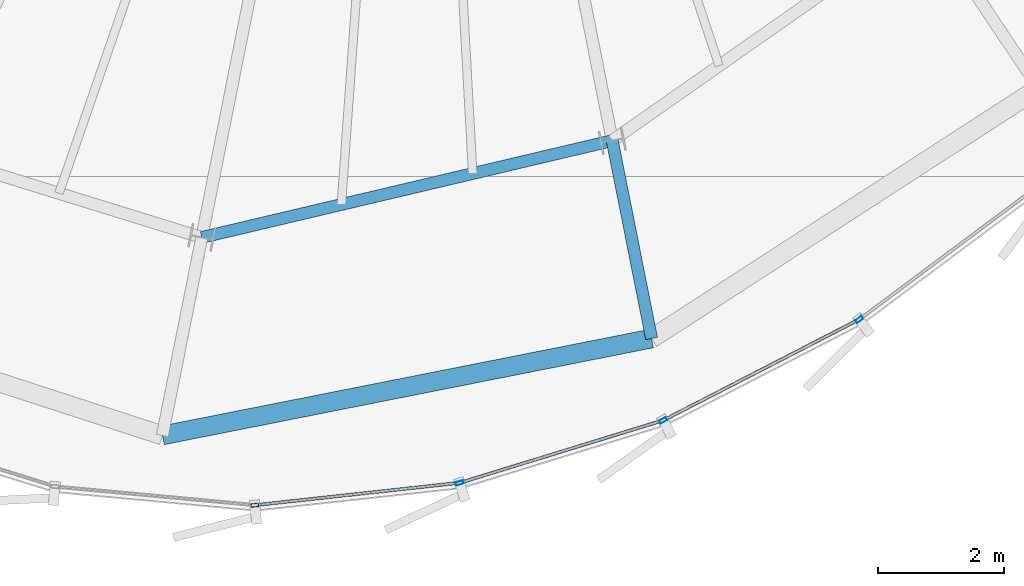
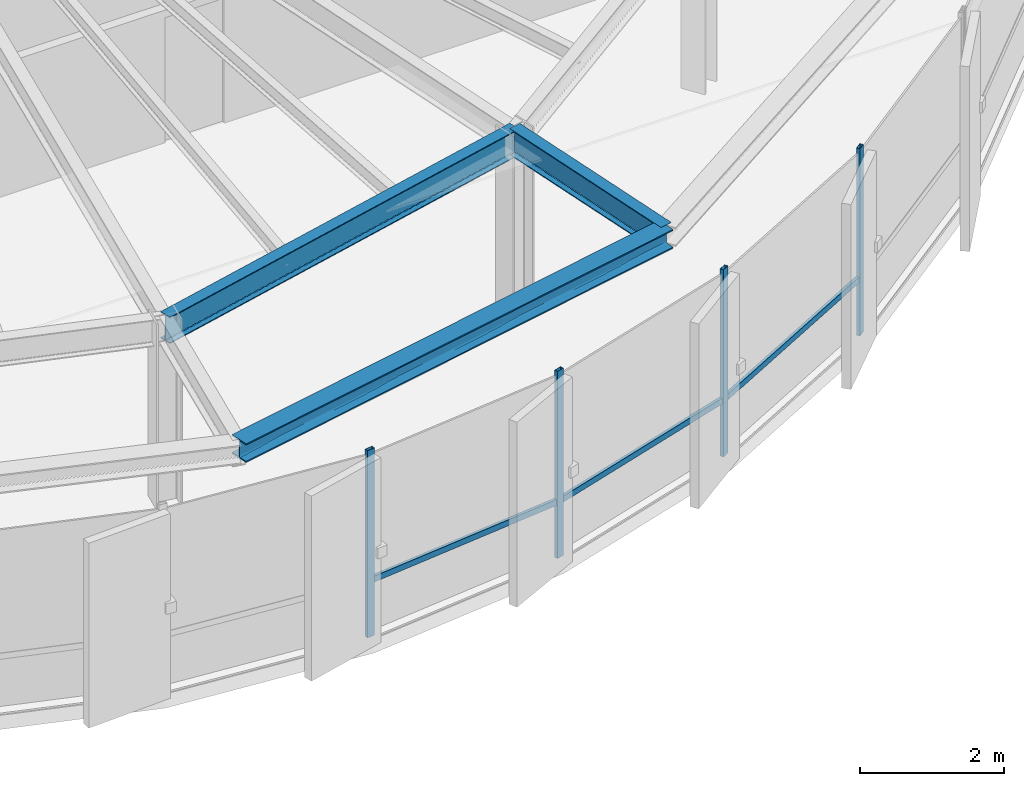
# One storey, part 6 of 31: 7 members, 3 beams, 1 element without a shape of its own.
"""IFC4 building model written with IfcOpenShell, lengths in metres."""

from ifc_helpers import new_model, si_unit, direction, frame, origin, origin_2d, place, context, subcontext, project, spatial, hollow_rectangle, i_section, extrude, source, transform, mapped, material, layer, layer_set, material_profile, profile_set, type_object, element, aggregate, save


model = new_model("IFC4")

# Units and contexts
model_context = context("Model", 3, precision=1e-05, world=origin(), true_north=direction((0.0, 1.0)))
body_context = subcontext(model_context, "Body", "Model", "MODEL_VIEW")
ifc_project = project(units=[si_unit("LENGTHUNIT", "METRE"), si_unit("AREAUNIT", "SQUARE_METRE"), si_unit("VOLUMEUNIT", "CUBIC_METRE"), si_unit("PLANEANGLEUNIT", "RADIAN"), si_unit("MASSUNIT", "GRAM", prefix="KILO"), si_unit("THERMODYNAMICTEMPERATUREUNIT", "KELVIN")], contexts=[model_context])

# Site, building, storey
site_placement = place(None, origin())
site = spatial("IfcSite", under=ifc_project, at=site_placement, CompositionType="ELEMENT")
building_placement = place(site_placement, origin())
building = spatial("IfcBuilding", under=site, at=building_placement, Name="Kethvar Cultural Tower", CompositionType="ELEMENT")
storey_placement = place(building_placement, frame((0.0, 0.0, 300.85009765625)))
storey = spatial("IfcBuildingStorey", under=building, at=storey_placement, Name="L80", CompositionType="ELEMENT", Elevation=300.85009765625)

# Beams
ifc_material_1 = material(Name="Steel S355J2", Category="steel")
ifc_material_profile_1 = material_profile(ifc_material_1, i_section(OverallWidth=0.18994140625, OverallDepth=0.449951171875, WebThickness=0.009521484375, FlangeThickness=0.0146484375, FilletRadius=0.02099609375, at=origin_2d()), Name="Steel S355J2 — IPE450")
ifc_profile_set_1 = profile_set([ifc_material_profile_1], Name="Steel S355J2 — IPE450")
beam_type_1 = type_object("IfcBeamType", Name="BM-IPE450", PredefinedType="BEAM", material=ifc_profile_set_1)
shared_shape_1 = source(origin(), body_context, "Body", "SweptSolid", [
    extrude(i_section(OverallWidth=0.18994140625, OverallDepth=0.449951171875, WebThickness=0.009521484375, FlangeThickness=0.0146484375, FilletRadius=0.02099609375, at=origin_2d()), origin(), (0.0, 0.0, 1.0), 3.199951171875),
])
beam_1_placement = place(storey_placement, frame((49.901611328125, 12.206787109375, 2.9580078125), z_axis=(0.195088965533, -0.980785550224, 0.0), x_axis=(0.980785550224, 0.195088965533, 0.0)))
element("IfcBeam", 1, at=beam_1_placement, inside=storey, type_object=beam_type_1, Name="L80 Perimeter Cantilever Beam RC-13", PredefinedType="BEAM", context=body_context, shape_type="MappedRepresentation", body=[
    mapped(shared_shape_1, transform((0.0, 0.0, 0.0), scale=1.0)),
])
shared_shape_2 = source(origin(), body_context, "Body", "SweptSolid", [
    extrude(i_section(OverallWidth=0.18994140625, OverallDepth=0.449951171875, WebThickness=0.009521484375, FlangeThickness=0.0146484375, FilletRadius=0.02099609375, at=origin_2d()), origin(), (0.0, 0.0, 1.0), 6.6875),
])
beam_2_placement = place(storey_placement, frame((43.392822265625, 10.67138671875, 2.9580078125), z_axis=(0.973286301494, 0.22959480683, 0.0), x_axis=(-0.22959480683, 0.973286301494, 0.0)))
element("IfcBeam", 2, at=beam_2_placement, inside=storey, type_object=beam_type_1, Name="L80 Column Ring Tie Beam CR-12", PredefinedType="BEAM", context=body_context, shape_type="MappedRepresentation", body=[
    mapped(shared_shape_2, transform((0.0, 0.0, 0.0), scale=1.0)),
])
ifc_material_profile_2 = material_profile(ifc_material_1, i_section(OverallWidth=0.300048828125, OverallDepth=0.320068359375, WebThickness=0.011474609375, FlangeThickness=0.0205078125, FilletRadius=0.027099609375, at=origin_2d()), Name="Steel S355J2 — HEB320")
ifc_profile_set_2 = profile_set([ifc_material_profile_2], Name="Steel S355J2 — HEB320")
beam_type_2 = type_object("IfcBeamType", Name="BM-SP320", PredefinedType="SPANDREL", material=ifc_profile_set_2)
shared_shape_3 = source(origin(), body_context, "Body", "SweptSolid", [
    extrude(i_section(OverallWidth=0.300048828125, OverallDepth=0.320068359375, WebThickness=0.011474609375, FlangeThickness=0.0205078125, FilletRadius=0.027099609375, at=origin_2d()), origin(), (0.0, 0.0, 1.0), 7.907958984375),
])
beam_3_placement = place(storey_placement, frame((42.7685546875, 7.53271484375, 3.02294921875), z_axis=(0.980963515828, 0.194192122948, 0.0), x_axis=(-0.194192122948, 0.980963515828, 0.0)))
element("IfcBeam", 3, at=beam_3_placement, inside=storey, type_object=beam_type_2, Name="L80 Perimeter Spandrel Beam SP-12", PredefinedType="SPANDREL", context=body_context, shape_type="MappedRepresentation", body=[
    mapped(shared_shape_3, transform((0.0, 0.0, 0.0), scale=1.0)),
])

# Curtain wall, members
ifc_material_2 = material(Name="Aluminium 6063-T6", Category="aluminium")
ifc_layer = layer(ifc_material_2, 0.179931640625, Name="Aluminium 6063-T6", Category="aluminium")
ifc_layer_set = layer_set([ifc_layer], Name="Aluminium 6063-T6 (180 mm)")
curtain_wall_type = type_object("IfcCurtainWallType", Name="CW-SYS-05-Z56", PredefinedType="NOTDEFINED", material=ifc_layer_set)
curtain_wall_placement = place(storey_placement, origin())
curtain_wall = element("IfcCurtainWall", 4, at=curtain_wall_placement, inside=storey, type_object=curtain_wall_type, Name="L80 Curtain Wall Run 04", PredefinedType="NOTDEFINED")
ifc_material_profile_3 = material_profile(ifc_material_2, hollow_rectangle(XDim=0.050048828125, YDim=0.10009765625, WallThickness=0.00390625, at=origin_2d()), Name="Aluminium 6063-T6 — RHS100x50x4")
ifc_profile_set_3 = profile_set([ifc_material_profile_3], Name="Aluminium 6063-T6 — RHS100x50x4")
member_type_1 = type_object("IfcMemberType", Name="CW-SYS-05-Z56-TRN", PredefinedType="USERDEFINED", material=ifc_profile_set_3)
shared_shape_4 = source(origin(), body_context, "Body", "SweptSolid", [
    extrude(hollow_rectangle(XDim=0.050048828125, YDim=0.10009765625, WallThickness=0.00390625, at=origin_2d()), origin(), (0.0, 0.0, 1.0), 3.20654296875),
])
member_1_placement = place(storey_placement, frame((44.273193359375, 6.429931640625, 0.949951171875), z_axis=(0.994088139167, 0.108576109563, 0.0), x_axis=(-0.108576109563, 0.994088139167, 0.0)))
member_1 = element("IfcMember", 5, at=member_1_placement, type_object=member_type_1, Name="CW-L80-R04 Transom 3", ObjectType="TRANSOM", PredefinedType="USERDEFINED", context=body_context, shape_type="MappedRepresentation", body=[
    mapped(shared_shape_4, transform((0.0, 0.0, 0.0), scale=1.0)),
])
ifc_material_profile_4 = material_profile(ifc_material_2, hollow_rectangle(XDim=0.054931640625, YDim=0.1201171875, WallThickness=0.00390625, at=origin_2d()), Name="Aluminium 6063-T6 — RHS120x55x4")
ifc_profile_set_4 = profile_set([ifc_material_profile_4], Name="Aluminium 6063-T6 — RHS120x55x4")
member_type_2 = type_object("IfcMemberType", Name="CW-SYS-05-Z56-MUL", PredefinedType="MULLION", material=ifc_profile_set_4)
shared_shape_5 = source(origin(), body_context, "Body", "SweptSolid", [
    extrude(hollow_rectangle(XDim=0.054931640625, YDim=0.1201171875, WallThickness=0.00390625, at=origin_2d()), origin(), (0.0, 0.0, 1.0), 3.184814453125),
])
member_2_placement = place(storey_placement, frame((44.233642578125, 6.42578125, 0.0), z_axis=(0.0, 0.0, 1.0), x_axis=(-0.108554577476, 0.994090490704, 0.0)))
member_2 = element("IfcMember", 6, at=member_2_placement, type_object=member_type_2, Name="CW-L80-R04 Mullion 3", PredefinedType="MULLION", context=body_context, shape_type="MappedRepresentation", body=[
    mapped(shared_shape_5, transform((0.0, 0.0, 0.0), scale=1.0)),
])
member_3_placement = place(storey_placement, frame((47.4814453125, 6.778564453125, 0.0), z_axis=(0.0, 0.0, 1.0), x_axis=(-0.294073688523, 0.955782750272, 0.0)))
member_3 = element("IfcMember", 7, at=member_3_placement, type_object=member_type_2, Name="CW-L80-R04 Mullion 4", PredefinedType="MULLION", context=body_context, shape_type="MappedRepresentation", body=[
    mapped(shared_shape_5, transform((0.0, 0.0, 0.0), scale=1.0)),
])
member_4_placement = place(storey_placement, frame((50.709716796875, 7.770263671875, 0.0), z_axis=(0.0, 0.0, 1.0), x_axis=(-0.457951494755, 0.888977181064, 0.0)))
member_4 = element("IfcMember", 8, at=member_4_placement, type_object=member_type_2, Name="CW-L80-R04 Mullion 5", PredefinedType="MULLION", context=body_context, shape_type="MappedRepresentation", body=[
    mapped(shared_shape_5, transform((0.0, 0.0, 0.0), scale=1.0)),
])
member_5_placement = place(storey_placement, frame((53.8203125, 9.37109375, 0.0), z_axis=(0.0, 0.0, 1.0), x_axis=(-0.598240690187, 0.801316464703, 0.0)))
member_5 = element("IfcMember", 9, at=member_5_placement, type_object=member_type_2, Name="CW-L80-R04 Mullion 6", PredefinedType="MULLION", context=body_context, shape_type="MappedRepresentation", body=[
    mapped(shared_shape_5, transform((0.0, 0.0, 0.0), scale=1.0)),
])
shared_shape_6 = source(origin(), body_context, "Body", "SweptSolid", [
    extrude(hollow_rectangle(XDim=0.050048828125, YDim=0.10009765625, WallThickness=0.00390625, at=origin_2d()), origin(), (0.0, 0.0, 1.0), 3.3154296875),
])
member_6_placement = place(storey_placement, frame((47.519287109375, 6.790283203125, 0.949951171875), z_axis=(0.955796520477, 0.294028929604, 0.0), x_axis=(-0.294028929604, 0.955796520477, 0.0)))
member_6 = element("IfcMember", 10, at=member_6_placement, type_object=member_type_1, Name="CW-L80-R04 Transom 4", ObjectType="TRANSOM", PredefinedType="USERDEFINED", context=body_context, shape_type="MappedRepresentation", body=[
    mapped(shared_shape_6, transform((0.0, 0.0, 0.0), scale=1.0)),
])
shared_shape_7 = source(origin(), body_context, "Body", "SweptSolid", [
    extrude(hollow_rectangle(XDim=0.050048828125, YDim=0.10009765625, WallThickness=0.00390625, at=origin_2d()), origin(), (0.0, 0.0, 1.0), 3.435791015625),
])
member_7_placement = place(storey_placement, frame((50.744873046875, 7.788330078125, 0.949951171875), z_axis=(0.888961406338, 0.457982115416, 0.0), x_axis=(-0.457982115416, 0.888961406338, 0.0)))
member_7 = element("IfcMember", 11, at=member_7_placement, type_object=member_type_1, Name="CW-L80-R04 Transom 5", ObjectType="TRANSOM", PredefinedType="USERDEFINED", context=body_context, shape_type="MappedRepresentation", body=[
    mapped(shared_shape_7, transform((0.0, 0.0, 0.0), scale=1.0)),
])
aggregate(curtain_wall, [member_2, member_3, member_4, member_5, member_1, member_6, member_7])

save(model, "model.ifc")
